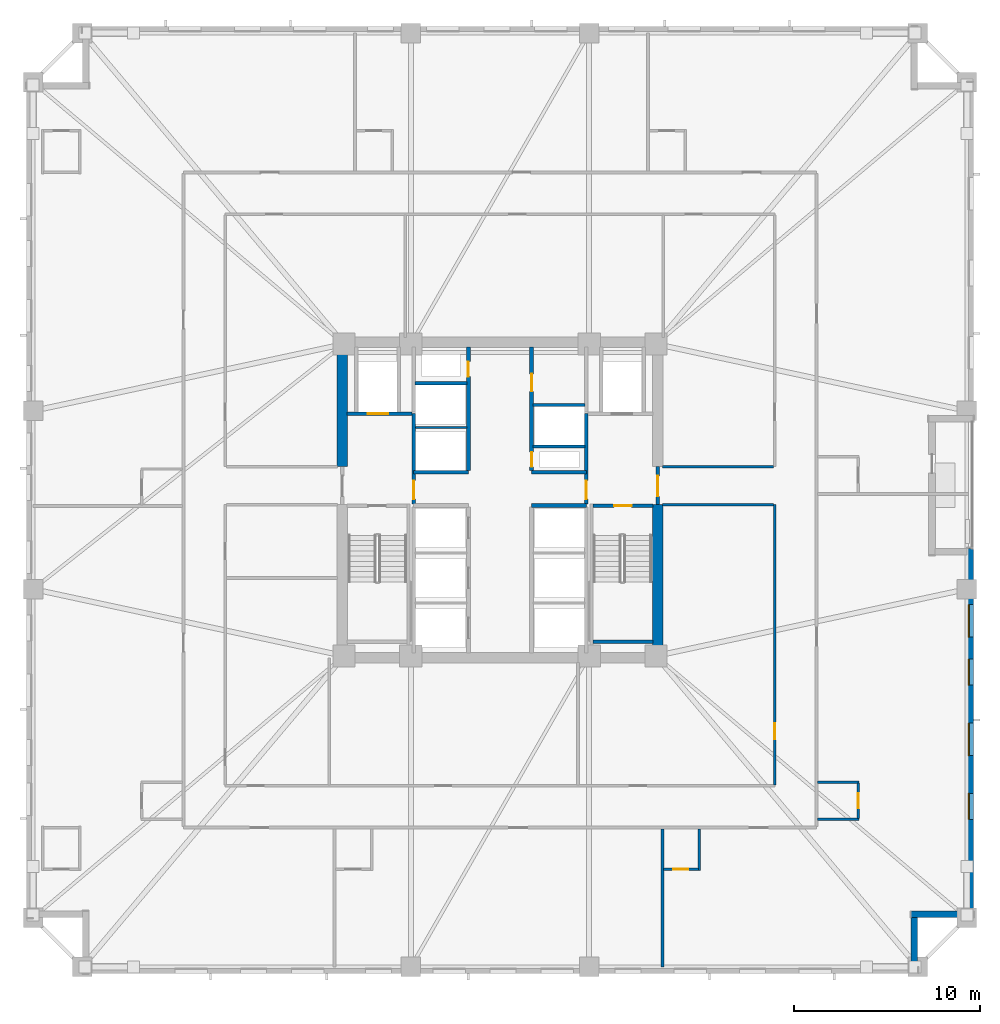
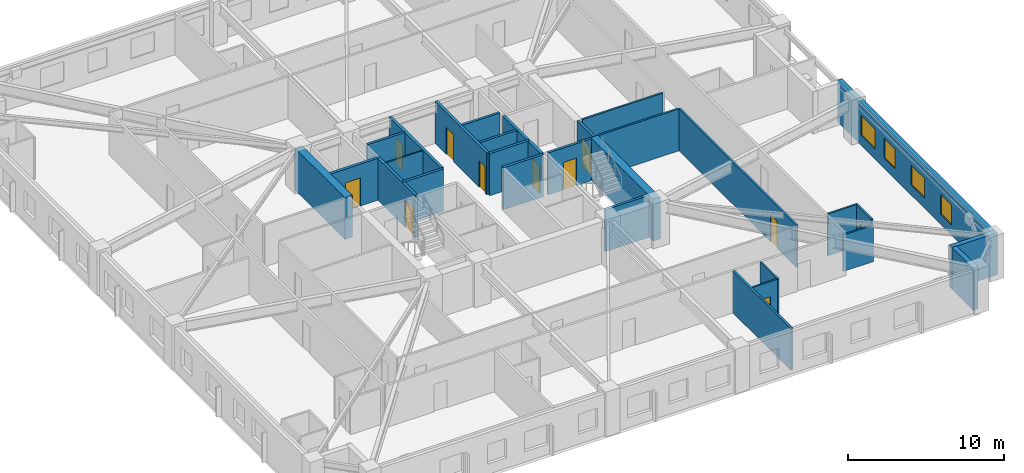
# One storey, part 4 of 11: 29 walls, 11 doors, 4 windows, 15 openings.
"""IFC4 building model written with IfcOpenShell, lengths in metres."""

from ifc_helpers import new_model, si_unit, direction, frame, frame_2d, origin, place, context, subcontext, project, spatial, rectangle, extrude, material, layer, layer_set, type_object, element, fill, save


model = new_model("IFC4")

# Units and contexts
model_context = context("Model", 3, precision=1e-05, world=origin(), true_north=direction((0.0, 1.0)))
body_context = subcontext(model_context, "Body", "Model", "MODEL_VIEW")
ifc_project = project(units=[si_unit("LENGTHUNIT", "METRE"), si_unit("AREAUNIT", "SQUARE_METRE"), si_unit("VOLUMEUNIT", "CUBIC_METRE"), si_unit("PLANEANGLEUNIT", "RADIAN"), si_unit("MASSUNIT", "GRAM", prefix="KILO")], contexts=[model_context])

# Site, building, storey
site_placement = place(None, origin())
site = spatial("IfcSite", under=ifc_project, at=site_placement, CompositionType="ELEMENT")
building_placement = place(site_placement, origin())
building = spatial("IfcBuilding", under=site, at=building_placement, Name="Cairnveth Concourse Tower", CompositionType="ELEMENT")
storey_placement = place(building_placement, frame((0.0, 0.0, 72.5)))
storey = spatial("IfcBuildingStorey", under=building, at=storey_placement, Name="L19", CompositionType="ELEMENT", Elevation=72.5)

# Walls
ifc_material_1 = material(Name="Gypsum Plasterboard Partition", Category="gypsum")
ifc_layer_1 = layer(ifc_material_1, 0.159912109375)
ifc_layer_set_1 = layer_set([ifc_layer_1], Name="Gypsum Plasterboard Partition")
wall_type_1 = type_object("IfcWallType", Name="ACOUSTIC PARTY WALL 180", PredefinedType="PARTITIONING", material=ifc_layer_set_1)
wall_1_placement = place(storey_placement, frame((60.742431640625, 13.844970703125, 0.0), z_axis=(0.0, 0.0, 1.0), x_axis=(0.0, 1.0, 0.0)))
element("IfcWall", 1, at=wall_1_placement, inside=storey, type_object=wall_type_1, Name="Interior Wall IW-L19-063", PredefinedType="PARTITIONING", context=body_context, shape_type="SweptSolid", body=[
    extrude(rectangle(XDim=7.43994140625, YDim=0.159912109375, at=frame_2d((3.719970703125, 0.0))), origin(), (0.0, 0.0, 1.0), 3.280029296875),
])
ifc_material_2 = material(Name="Concrete N80 (80 MPa)", Category="concrete")
ifc_layer_2 = layer(ifc_material_2, 0.550048828125)
ifc_layer_set_2 = layer_set([ifc_layer_2], Name="Concrete N80 (80 MPa)")
wall_type_2 = type_object("IfcWallType", Name="CORE SHEAR WALL 550", PredefinedType="SHEAR", material=ifc_layer_set_2)
wall_2_placement = place(storey_placement, frame((43.5, 40.800048828125, 0.0), z_axis=(0.0, 0.0, 1.0), x_axis=(0.0, 1.0, 0.0)))
element("IfcWall", 2, at=wall_2_placement, inside=storey, type_object=wall_type_2, Name="Core West Shear Wall N L19", PredefinedType="SHEAR", context=body_context, shape_type="SweptSolid", body=[
    extrude(rectangle(XDim=6.43505859375, YDim=0.550048828125, at=frame_2d((3.217529296875, 0.0))), origin(), (0.0, 0.0, 1.0), 3.280029296875),
])
wall_3_placement = place(storey_placement, frame((60.5, 30.764892578125, 0.0), z_axis=(0.0, 0.0, 1.0), x_axis=(0.0, 1.0, 0.0)))
element("IfcWall", 3, at=wall_3_placement, inside=storey, type_object=wall_type_2, Name="Core East Shear Wall S L19", PredefinedType="SHEAR", context=body_context, shape_type="SweptSolid", body=[
    extrude(rectangle(XDim=7.985107421875, YDim=0.550048828125, at=frame_2d((3.99267578125, 0.0))), origin(), (0.0, 0.0, 1.0), 3.280029296875),
])
ifc_material_3 = material(Name="Concrete N50 (50 MPa)", Category="concrete")
ifc_layer_3 = layer(ifc_material_3, 0.179931640625)
ifc_layer_set_3 = layer_set([ifc_layer_3], Name="Concrete N50 (50 MPa)")
wall_type_3 = type_object("IfcWallType", Name="FIRE SHAFT WALL 180", PredefinedType="SOLIDWALL", material=ifc_layer_set_3)
wall_4_placement = place(storey_placement, frame((47.425048828125, 45.280029296875, 0.0), z_axis=(0.0, 0.0, 1.0), x_axis=(1.0, 0.0, 0.0)))
element("IfcWall", 4, at=wall_4_placement, inside=storey, type_object=wall_type_3, Name="Interior Wall IW-L19-033", PredefinedType="SOLIDWALL", context=body_context, shape_type="SweptSolid", body=[
    extrude(rectangle(XDim=2.7900390625, YDim=0.179931640625, at=frame_2d((1.39501953125, 0.0))), origin(), (0.0, 0.0, 1.0), 3.280029296875),
])
wall_5_placement = place(storey_placement, frame((53.784912109375, 41.8798828125, 0.0), z_axis=(0.0, 0.0, 1.0), x_axis=(1.0, 0.0, 0.0)))
element("IfcWall", 5, at=wall_5_placement, inside=storey, type_object=wall_type_3, Name="Interior Wall IW-L19-035", PredefinedType="SOLIDWALL", context=body_context, shape_type="SweptSolid", body=[
    extrude(rectangle(XDim=2.780029296875, YDim=0.179931640625, at=frame_2d((1.39013671875, 0.0))), origin(), (0.0, 0.0, 1.0), 3.280029296875),
])
wall_6_placement = place(storey_placement, frame((53.784912109375, 44.1201171875, 0.0), z_axis=(0.0, 0.0, 1.0), x_axis=(1.0, 0.0, 0.0)))
element("IfcWall", 6, at=wall_6_placement, inside=storey, type_object=wall_type_3, Name="Interior Wall IW-L19-036", PredefinedType="SOLIDWALL", context=body_context, shape_type="SweptSolid", body=[
    extrude(rectangle(XDim=2.7900390625, YDim=0.179931640625, at=frame_2d((1.39501953125, 0.0))), origin(), (0.0, 0.0, 1.0), 3.280029296875),
])

# Wall, opening, door
wall_7_placement = place(storey_placement, frame((57.0048828125, 38.68994140625, 0.0), z_axis=(0.0, 0.0, 1.0), x_axis=(1.0, 0.0, 0.0)))
wall_7 = element("IfcWall", 7, at=wall_7_placement, inside=storey, type_object=wall_type_3, Name="Stair ST-2 Shaft Wall NEAR L19", PredefinedType="SOLIDWALL", context=body_context, shape_type="SweptSolid", body=[
    extrude(rectangle(XDim=3.230224609375, YDim=0.179931640625, at=frame_2d((1.615234375, 0.0))), origin(), (0.0, 0.0, 1.0), 3.280029296875),
])
opening_1_placement = place(wall_7_placement, frame((1.139892578125, 0.0, 0.0)))
opening_1 = element("IfcOpeningElement", 8, at=opening_1_placement, cuts=wall_7, Name="Opening ID12", PredefinedType="OPENING", context=body_context, shape_type="SweptSolid", body=[
    extrude(rectangle(XDim=0.949951171875, YDim=2.14990234375, at=frame_2d((0.47509765625, 1.074951171875))), frame((0.0, 0.099853515625, 0.0), z_axis=(0.0, -1.0, 0.0), x_axis=(1.0, 0.0, 0.0)), (0.0, 0.0, 1.0), 0.199951171875),
])
ifc_material_4 = material(Name="Steel Grade 350", Category="steel")
door_type_1 = type_object("IfcDoorType", Name="FIRE STAIR DOOR 950X2150", OperationType="NOTDEFINED", PredefinedType="DOOR", material=ifc_material_4)
door_1_placement = place(opening_1_placement, origin())
door_1 = element("IfcDoor", 9, at=door_1_placement, inside=storey, type_object=door_type_1, Name="Stair ST-2 Fire Door L19", OperationType="SINGLE_SWING_RIGHT", OverallHeight=2.14990234375, OverallWidth=0.949951171875, PredefinedType="DOOR", context=body_context, shape_type="SweptSolid", body=[
    extrude(rectangle(XDim=0.949951171875, YDim=2.14990234375, at=frame_2d((0.47509765625, 1.074951171875))), frame((0.0, 0.02490234375, 0.0), z_axis=(0.0, -1.0, 0.0), x_axis=(1.0, 0.0, 0.0)), (0.0, 0.0, 1.0), 0.050048828125),
])
fill(opening_1, door_1)

# Walls
wall_8_placement = place(storey_placement, frame((57.0048828125, 31.360107421875, 0.0), z_axis=(0.0, 0.0, 1.0), x_axis=(1.0, 0.0, 0.0)))
element("IfcWall", 10, at=wall_8_placement, inside=storey, type_object=wall_type_3, Name="Stair ST-2 Shaft Wall FAR L19", PredefinedType="SOLIDWALL", context=body_context, shape_type="SweptSolid", body=[
    extrude(rectangle(XDim=3.230224609375, YDim=0.179931640625, at=frame_2d((1.615234375, 0.0))), origin(), (0.0, 0.0, 1.0), 3.280029296875),
])
ifc_layer_4 = layer(ifc_material_3, 0.199951171875)
ifc_layer_set_4 = layer_set([ifc_layer_4], Name="Concrete N50 (50 MPa)")
wall_type_4 = type_object("IfcWallType", Name="FIRE SHAFT WALL 200", PredefinedType="SOLIDWALL", material=ifc_layer_set_4)
for number, where, z_axis, x_axis, name in (
    (11, (47.35009765625, 40.5, 0.0), (0.0, 0.0, 1.0), (1.0, 0.0, 0.0), "Interior Wall IW-L19-008"),
    (12, (53.699951171875, 38.699951171875, 0.0), (0.0, 0.0, 1.0), (1.0, 0.0, 0.0), "Interior Wall IW-L19-009"),
    (13, (53.699951171875, 40.5, 0.0), (0.0, 0.0, 1.0), (1.0, 0.0, 0.0), "Interior Wall IW-L19-010"),
):
    element("IfcWall", number, at=place(storey_placement, frame(where, z_axis=z_axis, x_axis=x_axis)), inside=storey, type_object=wall_type_4, Name=name, PredefinedType="SOLIDWALL", context=body_context, shape_type="SweptSolid", body=[
        extrude(rectangle(XDim=2.949951171875, YDim=0.199951171875, at=frame_2d((1.47509765625, 0.0))), origin(), (0.0, 0.0, 1.0), 3.280029296875),
    ])

# Wall, opening, door
wall_9_placement = place(storey_placement, frame((50.300048828125, 40.5849609375, 0.0), z_axis=(0.0, 0.0, 1.0), x_axis=(0.0, 1.0, 0.0)))
wall_9 = element("IfcWall", 14, at=wall_9_placement, inside=storey, type_object=wall_type_4, Name="Interior Wall IW-L19-013", PredefinedType="SOLIDWALL", context=body_context, shape_type="SweptSolid", body=[
    extrude(rectangle(XDim=6.655029296875, YDim=0.199951171875, at=frame_2d((3.32763671875, 0.0))), origin(), (0.0, 0.0, 1.0), 3.280029296875),
])
opening_2_placement = place(wall_9_placement, frame((5.06494140625, 0.0, 0.0)))
opening_2 = element("IfcOpeningElement", 15, at=opening_2_placement, cuts=wall_9, Name="Opening ID24", PredefinedType="OPENING", context=body_context, shape_type="SweptSolid", body=[
    extrude(rectangle(XDim=0.800048828125, YDim=2.080078125, at=frame_2d((0.39990234375, 1.0400390625))), frame((0.0, 0.10986328125, 0.0), z_axis=(0.0, -1.0, 0.0), x_axis=(1.0, 0.0, 0.0)), (0.0, 0.0, 1.0), 0.219970703125),
])
door_type_2 = type_object("IfcDoorType", Name="RISER ACCESS DOOR 800X2100", OperationType="NOTDEFINED", PredefinedType="DOOR", material=ifc_material_4)
door_2_placement = place(opening_2_placement, origin())
door_2 = element("IfcDoor", 16, at=door_2_placement, inside=storey, type_object=door_type_2, Name="NW Electrical Riser Access Door L19", OperationType="SINGLE_SWING_RIGHT", OverallHeight=2.080078125, OverallWidth=0.800048828125, PredefinedType="DOOR", context=body_context, shape_type="SweptSolid", body=[
    extrude(rectangle(XDim=0.800048828125, YDim=2.080078125, at=frame_2d((0.39990234375, 1.0400390625))), frame((0.0, 0.02490234375, 0.0), z_axis=(0.0, -1.0, 0.0), x_axis=(1.0, 0.0, 0.0)), (0.0, 0.0, 1.0), 0.050048828125),
])
fill(opening_2, door_2)

# Wall, openings, doors
wall_10_placement = place(storey_placement, frame((53.699951171875, 40.5849609375, 0.0), z_axis=(0.0, 0.0, 1.0), x_axis=(0.0, 1.0, 0.0)))
wall_10 = element("IfcWall", 17, at=wall_10_placement, inside=storey, type_object=wall_type_4, Name="Interior Wall IW-L19-014", PredefinedType="SOLIDWALL", context=body_context, shape_type="SweptSolid", body=[
    extrude(rectangle(XDim=6.655029296875, YDim=0.199951171875, at=frame_2d((3.32763671875, 0.0))), origin(), (0.0, 0.0, 1.0), 3.280029296875),
])
opening_3_placement = place(wall_10_placement, frame((0.195068359375, 0.0, 0.0)))
opening_3 = element("IfcOpeningElement", 18, at=opening_3_placement, cuts=wall_10, Name="Opening ID24", PredefinedType="OPENING", context=body_context, shape_type="SweptSolid", body=[
    extrude(rectangle(XDim=0.800048828125, YDim=2.080078125, at=frame_2d((0.39990234375, 1.0400390625))), frame((0.0, 0.10986328125, 0.0), z_axis=(0.0, -1.0, 0.0), x_axis=(1.0, 0.0, 0.0)), (0.0, 0.0, 1.0), 0.219970703125),
])
opening_4_placement = place(wall_10_placement, frame((4.264892578125, 0.0, 0.0)))
opening_4 = element("IfcOpeningElement", 19, at=opening_4_placement, cuts=wall_10, Name="Opening ID25", PredefinedType="OPENING", context=body_context, shape_type="SweptSolid", body=[
    extrude(rectangle(XDim=0.949951171875, YDim=2.1201171875, at=frame_2d((0.47509765625, 1.06005859375))), frame((0.0, 0.10986328125, 0.0), z_axis=(0.0, -1.0, 0.0), x_axis=(1.0, 0.0, 0.0)), (0.0, 0.0, 1.0), 0.219970703125),
])
door_type_3 = type_object("IfcDoorType", Name="CORE ACCESSIBLE FIRE DOOR 950X2120", OperationType="NOTDEFINED", PredefinedType="DOOR", material=ifc_material_4)
door_3_placement = place(opening_4_placement, origin())
door_3 = element("IfcDoor", 20, at=door_3_placement, inside=storey, type_object=door_type_3, Name="Core NE Accessible WC Door L19", OperationType="SINGLE_SWING_RIGHT", OverallHeight=2.1201171875, OverallWidth=0.949951171875, PredefinedType="DOOR", context=body_context, shape_type="SweptSolid", body=[
    extrude(rectangle(XDim=0.949951171875, YDim=2.1201171875, at=frame_2d((0.47509765625, 1.06005859375))), frame((0.0, 0.02490234375, 0.0), z_axis=(0.0, -1.0, 0.0), x_axis=(1.0, 0.0, 0.0)), (0.0, 0.0, 1.0), 0.050048828125),
])
fill(opening_4, door_3)
door_4_placement = place(opening_3_placement, origin())
door_4 = element("IfcDoor", 21, at=door_4_placement, inside=storey, type_object=door_type_2, Name="Hydraulic Riser Door L19", OperationType="SINGLE_SWING_LEFT", OverallHeight=2.080078125, OverallWidth=0.800048828125, PredefinedType="DOOR", context=body_context, shape_type="SweptSolid", body=[
    extrude(rectangle(XDim=0.800048828125, YDim=2.080078125, at=frame_2d((0.39990234375, 1.0400390625))), frame((0.0, 0.02490234375, 0.0), z_axis=(0.0, -1.0, 0.0), x_axis=(1.0, 0.0, 0.0)), (0.0, 0.0, 1.0), 0.050048828125),
])
fill(opening_3, door_4)

# Wall, opening, door
wall_11_placement = place(storey_placement, frame((47.35009765625, 38.784912109375, 0.0), z_axis=(0.0, 0.0, 1.0), x_axis=(0.0, 1.0, 0.0)))
wall_11 = element("IfcWall", 22, at=wall_11_placement, inside=storey, type_object=wall_type_4, Name="Interior Wall IW-L19-016", PredefinedType="SOLIDWALL", context=body_context, shape_type="SweptSolid", body=[
    extrude(rectangle(XDim=4.864990234375, YDim=0.199951171875, at=frame_2d((2.4326171875, 0.0))), origin(), (0.0, 0.0, 1.0), 3.280029296875),
])
opening_5_placement = place(wall_11_placement, frame((0.264892578125, 0.0, 0.0)))
opening_5 = element("IfcOpeningElement", 23, at=opening_5_placement, cuts=wall_11, Name="Opening ID07", PredefinedType="OPENING", context=body_context, shape_type="SweptSolid", body=[
    extrude(rectangle(XDim=1.0, YDim=2.14990234375, at=frame_2d((0.5, 1.074951171875))), frame((0.0, 0.10986328125, 0.0), z_axis=(0.0, -1.0, 0.0), x_axis=(1.0, 0.0, 0.0)), (0.0, 0.0, 1.0), 0.219970703125),
])
door_type_4 = type_object("IfcDoorType", Name="FIRE CORRIDOR DOOR 1000X2150", OperationType="NOTDEFINED", PredefinedType="DOOR", material=ifc_material_4)
door_5_placement = place(opening_5_placement, origin())
door_5 = element("IfcDoor", 24, at=door_5_placement, inside=storey, type_object=door_type_4, Name="FF Lobby West to Lift Lobby Door L19", OperationType="SINGLE_SWING_RIGHT", OverallHeight=2.14990234375, OverallWidth=1.0, PredefinedType="DOOR", context=body_context, shape_type="SweptSolid", body=[
    extrude(rectangle(XDim=1.0, YDim=2.14990234375, at=frame_2d((0.5, 1.074951171875))), frame((0.0, 0.02490234375, 0.0), z_axis=(0.0, -1.0, 0.0), x_axis=(1.0, 0.0, 0.0)), (0.0, 0.0, 1.0), 0.050048828125),
])
fill(opening_5, door_5)

wall_12_placement = place(storey_placement, frame((43.760009765625, 43.64990234375, 0.0), z_axis=(0.0, 0.0, 1.0), x_axis=(1.0, 0.0, 0.0)))
wall_12 = element("IfcWall", 25, at=wall_12_placement, inside=storey, type_object=wall_type_4, Name="Interior Wall IW-L19-017", PredefinedType="SOLIDWALL", context=body_context, shape_type="SweptSolid", body=[
    extrude(rectangle(XDim=3.5048828125, YDim=0.199951171875, at=frame_2d((1.75244140625, 0.0))), origin(), (0.0, 0.0, 1.0), 3.280029296875),
])
opening_6_placement = place(wall_12_placement, frame((1.110107421875, 0.0, 0.0)))
opening_6 = element("IfcOpeningElement", 26, at=opening_6_placement, cuts=wall_12, Name="Opening LD-1", PredefinedType="OPENING", context=body_context, shape_type="SweptSolid", body=[
    extrude(rectangle(XDim=1.10009765625, YDim=2.199951171875, at=frame_2d((0.550048828125, 1.10009765625))), frame((0.0, 0.10986328125, 0.0), z_axis=(0.0, -1.0, 0.0), x_axis=(1.0, 0.0, 0.0)), (0.0, 0.0, 1.0), 0.219970703125),
])
ifc_material_5 = material(Name="Architectural Bronze Anodised Aluminium 6063-T6", Category="aluminium")
door_type_5 = type_object("IfcDoorType", Name="LIFT LANDING DOOR 1100X2200", OperationType="SLIDING_TO_LEFT", PredefinedType="DOOR", material=ifc_material_5)
door_6_placement = place(opening_6_placement, origin())
door_6 = element("IfcDoor", 27, at=door_6_placement, inside=storey, type_object=door_type_5, Name="Lift FFL1 Landing Door L19", OperationType="SLIDING_TO_LEFT", OverallHeight=2.199951171875, OverallWidth=1.10009765625, PredefinedType="DOOR", context=body_context, shape_type="SweptSolid", body=[
    extrude(rectangle(XDim=1.10009765625, YDim=2.199951171875, at=frame_2d((0.550048828125, 1.10009765625))), frame((0.0, 0.02490234375, 0.0), z_axis=(0.0, -1.0, 0.0), x_axis=(1.0, 0.0, 0.0)), (0.0, 0.0, 1.0), 0.050048828125),
])
fill(opening_6, door_6)

wall_13_placement = place(storey_placement, frame((60.5, 38.75, 0.0), z_axis=(0.0, 0.0, 1.0), x_axis=(0.0, 1.0, 0.0)))
wall_13 = element("IfcWall", 28, at=wall_13_placement, inside=storey, type_object=wall_type_4, Name="Interior Wall IW-L19-020", PredefinedType="SOLIDWALL", context=body_context, shape_type="SweptSolid", body=[
    extrude(rectangle(XDim=2.050048828125, YDim=0.199951171875, at=frame_2d((1.02490234375, 0.0))), origin(), (0.0, 0.0, 1.0), 3.280029296875),
])
opening_7_placement = place(wall_13_placement, frame((0.449951171875, 0.0, 0.0)))
opening_7 = element("IfcOpeningElement", 29, at=opening_7_placement, cuts=wall_13, Name="Opening ID06", PredefinedType="OPENING", context=body_context, shape_type="SweptSolid", body=[
    extrude(rectangle(XDim=1.10009765625, YDim=2.14990234375, at=frame_2d((0.550048828125, 1.074951171875))), frame((0.0, 0.10986328125, 0.0), z_axis=(0.0, -1.0, 0.0), x_axis=(1.0, 0.0, 0.0)), (0.0, 0.0, 1.0), 0.219970703125),
])
door_type_6 = type_object("IfcDoorType", Name="FIRE CORRIDOR DOOR 1100X2150", OperationType="NOTDEFINED", PredefinedType="DOOR", material=ifc_material_4)
door_7_placement = place(opening_7_placement, origin())
door_7 = element("IfcDoor", 30, at=door_7_placement, inside=storey, type_object=door_type_6, Name="East Wing to FF Lobby Door L19", OperationType="SINGLE_SWING_RIGHT", OverallHeight=2.14990234375, OverallWidth=1.10009765625, PredefinedType="DOOR", context=body_context, shape_type="SweptSolid", body=[
    extrude(rectangle(XDim=1.10009765625, YDim=2.14990234375, at=frame_2d((0.550048828125, 1.074951171875))), frame((0.0, 0.02490234375, 0.0), z_axis=(0.0, -1.0, 0.0), x_axis=(1.0, 0.0, 0.0)), (0.0, 0.0, 1.0), 0.050048828125),
])
fill(opening_7, door_7)

wall_14_placement = place(storey_placement, frame((56.64990234375, 38.784912109375, 0.0), z_axis=(0.0, 0.0, 1.0), x_axis=(0.0, 1.0, 0.0)))
wall_14 = element("IfcWall", 31, at=wall_14_placement, inside=storey, type_object=wall_type_4, Name="Interior Wall IW-L19-021", PredefinedType="SOLIDWALL", context=body_context, shape_type="SweptSolid", body=[
    extrude(rectangle(XDim=4.864990234375, YDim=0.199951171875, at=frame_2d((2.4326171875, 0.0))), origin(), (0.0, 0.0, 1.0), 3.280029296875),
])
opening_8_placement = place(wall_14_placement, frame((0.264892578125, 0.0, 0.0)))
opening_8 = element("IfcOpeningElement", 32, at=opening_8_placement, cuts=wall_14, Name="Opening ID07", PredefinedType="OPENING", context=body_context, shape_type="SweptSolid", body=[
    extrude(rectangle(XDim=1.0, YDim=2.14990234375, at=frame_2d((0.5, 1.074951171875))), frame((0.0, 0.10986328125, 0.0), z_axis=(0.0, -1.0, 0.0), x_axis=(1.0, 0.0, 0.0)), (0.0, 0.0, 1.0), 0.219970703125),
])
door_8_placement = place(opening_8_placement, origin())
door_8 = element("IfcDoor", 33, at=door_8_placement, inside=storey, type_object=door_type_4, Name="FF Lobby East to Lift Lobby Door L19", OperationType="SINGLE_SWING_LEFT", OverallHeight=2.14990234375, OverallWidth=1.0, PredefinedType="DOOR", context=body_context, shape_type="SweptSolid", body=[
    extrude(rectangle(XDim=1.0, YDim=2.14990234375, at=frame_2d((0.5, 1.074951171875))), frame((0.0, 0.02490234375, 0.0), z_axis=(0.0, -1.0, 0.0), x_axis=(1.0, 0.0, 0.0)), (0.0, 0.0, 1.0), 0.050048828125),
])
fill(opening_8, door_8)

ifc_layer_5 = layer(ifc_material_1, 0.139892578125)
ifc_layer_set_5 = layer_set([ifc_layer_5], Name="Gypsum Plasterboard Partition")
wall_type_5 = type_object("IfcWallType", Name="GYPSUM STUD PARTITION 140", PredefinedType="PARTITIONING", material=ifc_layer_set_5)
wall_15_placement = place(storey_placement, frame((66.800048828125, 23.655029296875, 0.0), z_axis=(0.0, 0.0, 1.0), x_axis=(0.0, 1.0, 0.0)))
wall_15 = element("IfcWall", 34, at=wall_15_placement, inside=storey, type_object=wall_type_5, Name="Interior Wall IW-L19-047", PredefinedType="PARTITIONING", context=body_context, shape_type="SweptSolid", body=[
    extrude(rectangle(XDim=15.094970703125, YDim=0.139892578125, at=frame_2d((7.54736328125, 0.0))), origin(), (0.0, 0.0, 1.0), 3.280029296875),
])
opening_9_placement = place(wall_15_placement, frame((2.445068359375, 0.0, 0.0)))
opening_9 = element("IfcOpeningElement", 35, at=opening_9_placement, cuts=wall_15, Name="Opening ID18", PredefinedType="OPENING", context=body_context, shape_type="SweptSolid", body=[
    extrude(rectangle(XDim=0.8798828125, YDim=2.10009765625, at=frame_2d((0.43994140625, 1.050048828125))), frame((0.0, 0.079833984375, 0.0), z_axis=(0.0, -1.0, 0.0), x_axis=(1.0, 0.0, 0.0)), (0.0, 0.0, 1.0), 0.159912109375),
])
ifc_material_6 = material(Name="Solid Core Hardwood Timber Leaf", Category="wood")
door_type_7 = type_object("IfcDoorType", Name="INTERIOR SINGLE DOOR 880X2100", OperationType="NOTDEFINED", PredefinedType="DOOR", material=ifc_material_6)
door_9_placement = place(opening_9_placement, origin())
door_9 = element("IfcDoor", 36, at=door_9_placement, inside=storey, type_object=door_type_7, Name="Interior Door DR-L19-022", OperationType="SINGLE_SWING_RIGHT", OverallHeight=2.10009765625, OverallWidth=0.8798828125, PredefinedType="DOOR", context=body_context, shape_type="SweptSolid", body=[
    extrude(rectangle(XDim=0.8798828125, YDim=2.10009765625, at=frame_2d((0.43994140625, 1.050048828125))), frame((0.0, 0.02490234375, 0.0), z_axis=(0.0, -1.0, 0.0), x_axis=(1.0, 0.0, 0.0)), (0.0, 0.0, 1.0), 0.050048828125),
])
fill(opening_9, door_9)

# Walls
for number, where, z_axis, x_axis, name in (
    (37, (60.760009765625, 38.75, 0.0), (0.0, 0.0, 1.0), (1.0, 0.0, 0.0), "Interior Wall IW-L19-049"),
    (38, (60.760009765625, 40.800048828125, 0.0), (0.0, 0.0, 1.0), (1.0, 0.0, 0.0), "Interior Wall IW-L19-050"),
):
    element("IfcWall", number, at=place(storey_placement, frame(where, z_axis=z_axis, x_axis=x_axis)), inside=storey, type_object=wall_type_5, Name=name, PredefinedType="PARTITIONING", context=body_context, shape_type="SweptSolid", body=[
        extrude(rectangle(XDim=5.985107421875, YDim=0.139892578125, at=frame_2d((2.99267578125, 0.0))), origin(), (0.0, 0.0, 1.0), 3.280029296875),
    ])
ifc_layer_6 = layer(ifc_material_1, 0.110107421875)
ifc_layer_set_6 = layer_set([ifc_layer_6], Name="Gypsum Plasterboard Partition")
wall_type_6 = type_object("IfcWallType", Name="SHAFT DIVIDER WALL 140", PredefinedType="PARTITIONING", material=ifc_layer_set_6)
wall_16_placement = place(storey_placement, frame((47.43505859375, 42.89990234375, 0.0), z_axis=(0.0, 0.0, 1.0), x_axis=(1.0, 0.0, 0.0)))
element("IfcWall", 39, at=wall_16_placement, inside=storey, type_object=wall_type_6, Name="Interior Wall IW-L19-032", PredefinedType="PARTITIONING", context=body_context, shape_type="SweptSolid", body=[
    extrude(rectangle(XDim=2.780029296875, YDim=0.110107421875, at=frame_2d((1.39013671875, 0.0))), origin(), (0.0, 0.0, 1.0), 3.280029296875),
])
ifc_layer_7 = layer(ifc_material_1, 0.1298828125)
ifc_layer_set_7 = layer_set([ifc_layer_7], Name="Gypsum Plasterboard Partition")
wall_type_7 = type_object("IfcWallType", Name="WET AREA PARTITION 140", PredefinedType="PLUMBINGWALL", material=ifc_layer_set_7)
wall_17_placement = place(storey_placement, frame((62.742431640625, 19.050048828125, 0.0), z_axis=(0.0, 0.0, 1.0), x_axis=(0.0, 1.0, 0.0)))
element("IfcWall", 40, at=wall_17_placement, inside=storey, type_object=wall_type_7, Name="Interior Wall IW-L19-064", PredefinedType="PLUMBINGWALL", context=body_context, shape_type="SweptSolid", body=[
    extrude(rectangle(XDim=2.23486328125, YDim=0.1298828125, at=frame_2d((1.117431640625, 0.0))), origin(), (0.0, 0.0, 1.0), 3.280029296875),
])

# Wall, opening, door
wall_18_placement = place(storey_placement, frame((60.8076171875, 19.10009765625, 0.0), z_axis=(0.0, 0.0, 1.0), x_axis=(1.0, 0.0, 0.0)))
wall_18 = element("IfcWall", 41, at=wall_18_placement, inside=storey, type_object=wall_type_7, Name="Interior Wall IW-L19-065", PredefinedType="PLUMBINGWALL", context=body_context, shape_type="SweptSolid", body=[
    extrude(rectangle(XDim=1.884765625, YDim=0.1298828125, at=frame_2d((0.9423828125, 0.0))), origin(), (0.0, 0.0, 1.0), 3.280029296875),
])
opening_10_placement = place(wall_18_placement, frame((0.52490234375, 0.0, 0.0)))
opening_10 = element("IfcOpeningElement", 42, at=opening_10_placement, cuts=wall_18, Name="Opening ID22", PredefinedType="OPENING", context=body_context, shape_type="SweptSolid", body=[
    extrude(rectangle(XDim=0.820068359375, YDim=2.10009765625, at=frame_2d((0.41015625, 1.050048828125))), frame((0.0, 0.074951171875, 0.0), z_axis=(0.0, -1.0, 0.0), x_axis=(1.0, 0.0, 0.0)), (0.0, 0.0, 1.0), 0.14990234375),
])
door_type_8 = type_object("IfcDoorType", Name="INTERIOR WC DOOR 820X2100", OperationType="NOTDEFINED", PredefinedType="DOOR", material=ifc_material_6)
door_10_placement = place(opening_10_placement, origin())
door_10 = element("IfcDoor", 43, at=door_10_placement, inside=storey, type_object=door_type_8, Name="En-Suite Door L19-S3", OperationType="SINGLE_SWING_RIGHT", OverallHeight=2.10009765625, OverallWidth=0.820068359375, PredefinedType="DOOR", context=body_context, shape_type="SweptSolid", body=[
    extrude(rectangle(XDim=0.820068359375, YDim=2.10009765625, at=frame_2d((0.41015625, 1.050048828125))), frame((0.0, 0.02490234375, 0.0), z_axis=(0.0, -1.0, 0.0), x_axis=(1.0, 0.0, 0.0)), (0.0, 0.0, 1.0), 0.050048828125),
])
fill(opening_10, door_10)

# Walls
wall_19_placement = place(storey_placement, frame((69.114990234375, 21.800048828125, 0.0), z_axis=(0.0, 0.0, 1.0), x_axis=(1.0, 0.0, 0.0)))
element("IfcWall", 44, at=wall_19_placement, inside=storey, type_object=wall_type_7, Name="Interior Wall IW-L19-082", PredefinedType="PLUMBINGWALL", context=body_context, shape_type="SweptSolid", body=[
    extrude(rectangle(XDim=2.235107421875, YDim=0.1298828125, at=frame_2d((1.11767578125, 0.0))), origin(), (0.0, 0.0, 1.0), 2.84912109375),
])
wall_20_placement = place(storey_placement, frame((69.114990234375, 23.800048828125, 0.0), z_axis=(0.0, 0.0, 1.0), x_axis=(1.0, 0.0, 0.0)))
element("IfcWall", 45, at=wall_20_placement, inside=storey, type_object=wall_type_7, Name="Interior Wall IW-L19-083", PredefinedType="PLUMBINGWALL", context=body_context, shape_type="SweptSolid", body=[
    extrude(rectangle(XDim=2.235107421875, YDim=0.1298828125, at=frame_2d((1.11767578125, 0.0))), origin(), (0.0, 0.0, 1.0), 3.280029296875),
])

# Wall, opening, door
wall_21_placement = place(storey_placement, frame((71.300048828125, 21.85009765625, 0.0), z_axis=(0.0, 0.0, 1.0), x_axis=(0.0, 1.0, 0.0)))
wall_21 = element("IfcWall", 46, at=wall_21_placement, inside=storey, type_object=wall_type_7, Name="Interior Wall IW-L19-084", PredefinedType="PLUMBINGWALL", context=body_context, shape_type="SweptSolid", body=[
    extrude(rectangle(XDim=1.89990234375, YDim=0.1298828125, at=frame_2d((0.949951171875, 0.0))), origin(), (0.0, 0.0, 1.0), 3.280029296875),
])
opening_11_placement = place(wall_21_placement, frame((0.5400390625, 0.0, 0.0)))
opening_11 = element("IfcOpeningElement", 47, at=opening_11_placement, cuts=wall_21, Name="Opening ID22", PredefinedType="OPENING", context=body_context, shape_type="SweptSolid", body=[
    extrude(rectangle(XDim=0.820068359375, YDim=2.10009765625, at=frame_2d((0.41015625, 1.050048828125))), frame((0.0, 0.074951171875, 0.0), z_axis=(0.0, -1.0, 0.0), x_axis=(1.0, 0.0, 0.0)), (0.0, 0.0, 1.0), 0.14990234375),
])
door_11_placement = place(opening_11_placement, origin())
door_11 = element("IfcDoor", 48, at=door_11_placement, inside=storey, type_object=door_type_8, Name="En-Suite Door L19-E1", OperationType="SINGLE_SWING_RIGHT", OverallHeight=2.10009765625, OverallWidth=0.820068359375, PredefinedType="DOOR", context=body_context, shape_type="SweptSolid", body=[
    extrude(rectangle(XDim=0.820068359375, YDim=2.10009765625, at=frame_2d((0.41015625, 1.050048828125))), frame((0.0, 0.02490234375, 0.0), z_axis=(0.0, -1.0, 0.0), x_axis=(1.0, 0.0, 0.0)), (0.0, 0.0, 1.0), 0.050048828125),
])
fill(opening_11, door_11)

# Wall, openings, windows
ifc_material_7 = material(Name="Hawthorn Red-Ochre Fired Clay Brick Masonry", Category="masonry")
ifc_layer_8 = layer(ifc_material_7, 0.360107421875)
ifc_layer_set_8 = layer_set([ifc_layer_8], Name="Hawthorn Red-Ochre Fired Clay Brick Masonry")
wall_type_8 = type_object("IfcWallType", Name="ZONE 1 BRICK PIER SPANDREL WALL 360", PredefinedType="SOLIDWALL", material=ifc_layer_set_8)
wall_22_placement = place(storey_placement, frame((77.320068359375, 36.39990234375, 0.0), z_axis=(0.0, 0.0, 1.0), x_axis=(0.0, -1.0, 0.0)))
wall_22 = element("IfcWall", 49, at=wall_22_placement, inside=storey, type_object=wall_type_8, Name="Exterior Wall EW-L19-S00", PredefinedType="SOLIDWALL", context=body_context, shape_type="SweptSolid", body=[
    extrude(rectangle(XDim=19.56201171875, YDim=0.360107421875, at=frame_2d((9.781005859375, 0.0))), origin(), (0.0, 0.0, 1.0), 3.280029296875),
])
opening_12_placement = place(wall_22_placement, frame((3.03271484375, 0.0, 0.800048828125)))
opening_12 = element("IfcOpeningElement", 50, at=opening_12_placement, cuts=wall_22, Name="Opening W06", PredefinedType="OPENING", context=body_context, shape_type="SweptSolid", body=[
    extrude(rectangle(XDim=1.75, YDim=1.5439453125, at=frame_2d((0.875, 0.77197265625))), frame((0.0, 0.18994140625, 0.0), z_axis=(0.0, -1.0, 0.0), x_axis=(1.0, 0.0, 0.0)), (0.0, 0.0, 1.0), 0.380126953125),
])
opening_13_placement = place(wall_22_placement, frame((5.97314453125, 0.0, 0.800048828125)))
opening_13 = element("IfcOpeningElement", 51, at=opening_13_placement, cuts=wall_22, Name="Opening W05", PredefinedType="OPENING", context=body_context, shape_type="SweptSolid", body=[
    extrude(rectangle(XDim=1.39990234375, YDim=1.5439453125, at=frame_2d((0.699951171875, 0.77197265625))), frame((0.0, 0.18994140625, 0.0), z_axis=(0.0, -1.0, 0.0), x_axis=(1.0, 0.0, 0.0)), (0.0, 0.0, 1.0), 0.380126953125),
])
opening_14_placement = place(wall_22_placement, frame((9.413818359375, 0.0, 0.800048828125)))
opening_14 = element("IfcOpeningElement", 52, at=opening_14_placement, cuts=wall_22, Name="Opening W06", PredefinedType="OPENING", context=body_context, shape_type="SweptSolid", body=[
    extrude(rectangle(XDim=1.75, YDim=1.5439453125, at=frame_2d((0.875, 0.77197265625))), frame((0.0, 0.18994140625, 0.0), z_axis=(0.0, -1.0, 0.0), x_axis=(1.0, 0.0, 0.0)), (0.0, 0.0, 1.0), 0.380126953125),
])
opening_15_placement = place(wall_22_placement, frame((13.2041015625, 0.0, 0.800048828125)))
opening_15 = element("IfcOpeningElement", 53, at=opening_15_placement, cuts=wall_22, Name="Opening W05", PredefinedType="OPENING", context=body_context, shape_type="SweptSolid", body=[
    extrude(rectangle(XDim=1.39990234375, YDim=1.5439453125, at=frame_2d((0.699951171875, 0.77197265625))), frame((0.0, 0.18994140625, 0.0), z_axis=(0.0, -1.0, 0.0), x_axis=(1.0, 0.0, 0.0)), (0.0, 0.0, 1.0), 0.380126953125),
])
ifc_material_8 = material(Name="Double Glazed Low-E Clear Glass", Category="glass")
window_type_1 = type_object("IfcWindowType", Name="DEEP-SET HOTEL CASEMENT WINDOW 1400X1750", PartitioningType="DOUBLE_PANEL_VERTICAL", PredefinedType="WINDOW", material=ifc_material_8)
window_1_placement = place(opening_13_placement, origin())
window_1 = element("IfcWindow", 54, at=window_1_placement, inside=storey, type_object=window_type_1, Name="Gothic Lancet Window L19-0-2", OverallHeight=1.5439453125, OverallWidth=1.39990234375, PartitioningType="SINGLE_PANEL", PredefinedType="WINDOW", context=body_context, shape_type="SweptSolid", body=[
    extrude(rectangle(XDim=1.39990234375, YDim=1.5439453125, at=frame_2d((0.699951171875, 0.77197265625))), frame((0.0, -0.050048828125, 0.0), z_axis=(0.0, -1.0, 0.0), x_axis=(1.0, 0.0, 0.0)), (0.0, 0.0, 1.0), 0.06005859375),
])
fill(opening_13, window_1)
window_2_placement = place(opening_15_placement, origin())
window_2 = element("IfcWindow", 55, at=window_2_placement, inside=storey, type_object=window_type_1, Name="Gothic Lancet Window L19-0-4", OverallHeight=1.5439453125, OverallWidth=1.39990234375, PartitioningType="SINGLE_PANEL", PredefinedType="WINDOW", context=body_context, shape_type="SweptSolid", body=[
    extrude(rectangle(XDim=1.39990234375, YDim=1.5439453125, at=frame_2d((0.699951171875, 0.77197265625))), frame((0.0, -0.050048828125, 0.0), z_axis=(0.0, -1.0, 0.0), x_axis=(1.0, 0.0, 0.0)), (0.0, 0.0, 1.0), 0.06005859375),
])
fill(opening_15, window_2)
window_type_2 = type_object("IfcWindowType", Name="DEEP-SET HOTEL SUITE WINDOW 1750X1800", PartitioningType="DOUBLE_PANEL_VERTICAL", PredefinedType="WINDOW", material=ifc_material_8)
window_3_placement = place(opening_12_placement, origin())
window_3 = element("IfcWindow", 56, at=window_3_placement, inside=storey, type_object=window_type_2, Name="Gothic Lancet Window L19-0-1", OverallHeight=1.5439453125, OverallWidth=1.75, PartitioningType="SINGLE_PANEL", PredefinedType="WINDOW", context=body_context, shape_type="SweptSolid", body=[
    extrude(rectangle(XDim=1.75, YDim=1.5439453125, at=frame_2d((0.875, 0.77197265625))), frame((0.0, -0.050048828125, 0.0), z_axis=(0.0, -1.0, 0.0), x_axis=(1.0, 0.0, 0.0)), (0.0, 0.0, 1.0), 0.06005859375),
])
fill(opening_12, window_3)
window_4_placement = place(opening_14_placement, origin())
window_4 = element("IfcWindow", 57, at=window_4_placement, inside=storey, type_object=window_type_2, Name="Gothic Lancet Window L19-0-3", OverallHeight=1.5439453125, OverallWidth=1.75, PartitioningType="SINGLE_PANEL", PredefinedType="WINDOW", context=body_context, shape_type="SweptSolid", body=[
    extrude(rectangle(XDim=1.75, YDim=1.5439453125, at=frame_2d((0.875, 0.77197265625))), frame((0.0, -0.050048828125, 0.0), z_axis=(0.0, -1.0, 0.0), x_axis=(1.0, 0.0, 0.0)), (0.0, 0.0, 1.0), 0.06005859375),
])
fill(opening_14, window_4)

# Walls
wall_23_placement = place(storey_placement, frame((77.5, 16.679931640625, 0.0), z_axis=(0.0, 0.0, 1.0), x_axis=(-1.0, 0.0, 0.0)))
element("IfcWall", 58, at=wall_23_placement, inside=storey, type_object=wall_type_8, Name="Exterior Wall EW-L19-S01", PredefinedType="SOLIDWALL", context=body_context, shape_type="SweptSolid", body=[
    extrude(rectangle(XDim=3.360107421875, YDim=0.360107421875, at=frame_2d((1.68017578125, 0.0))), origin(), (0.0, 0.0, 1.0), 3.280029296875),
])
wall_24_placement = place(storey_placement, frame((74.320068359375, 16.52197265625, 0.0), z_axis=(0.0, 0.0, 1.0), x_axis=(0.0, -1.0, 0.0)))
element("IfcWall", 59, at=wall_24_placement, inside=storey, type_object=wall_type_8, Name="Exterior Wall EW-L19-S02", PredefinedType="SOLIDWALL", context=body_context, shape_type="SweptSolid", body=[
    extrude(rectangle(XDim=2.68408203125, YDim=0.360107421875, at=frame_2d((1.342041015625, 0.0))), origin(), (0.0, 0.0, 1.0), 3.280029296875),
])

save(model, "model.ifc")
